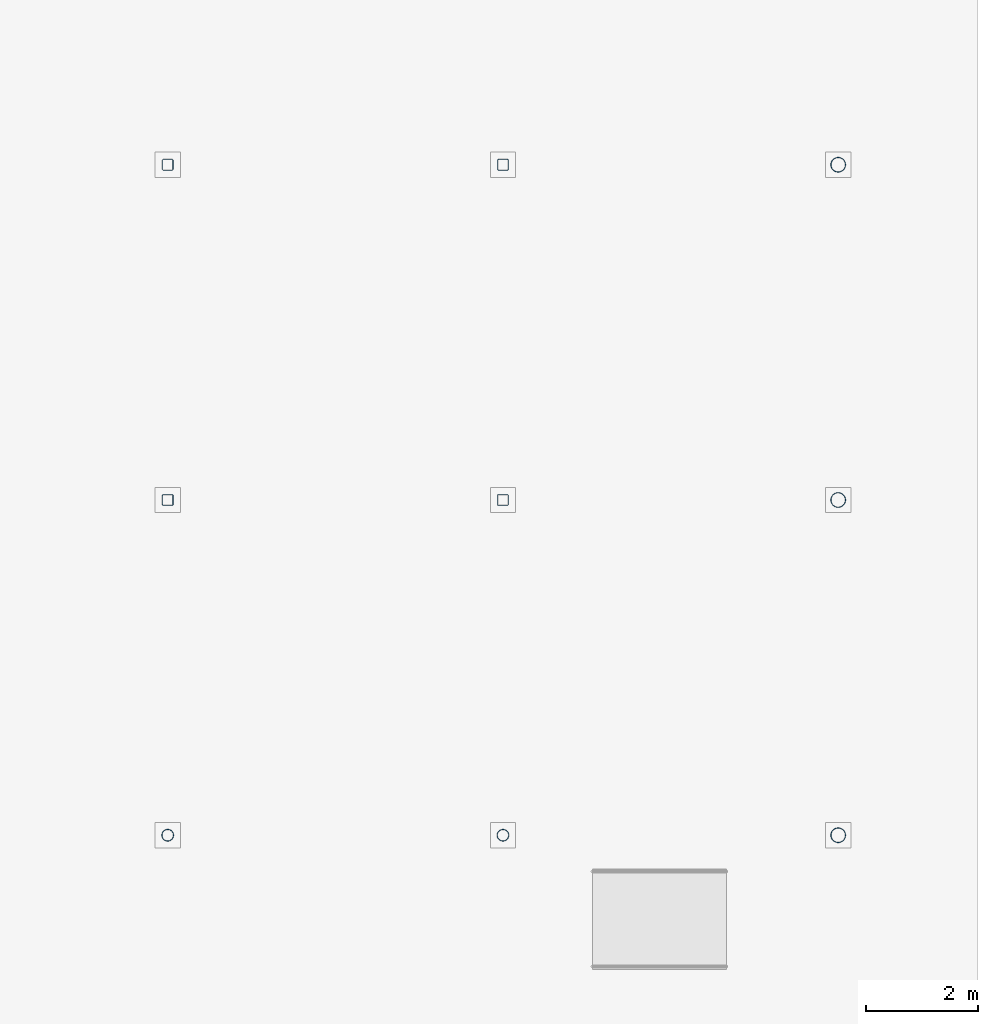
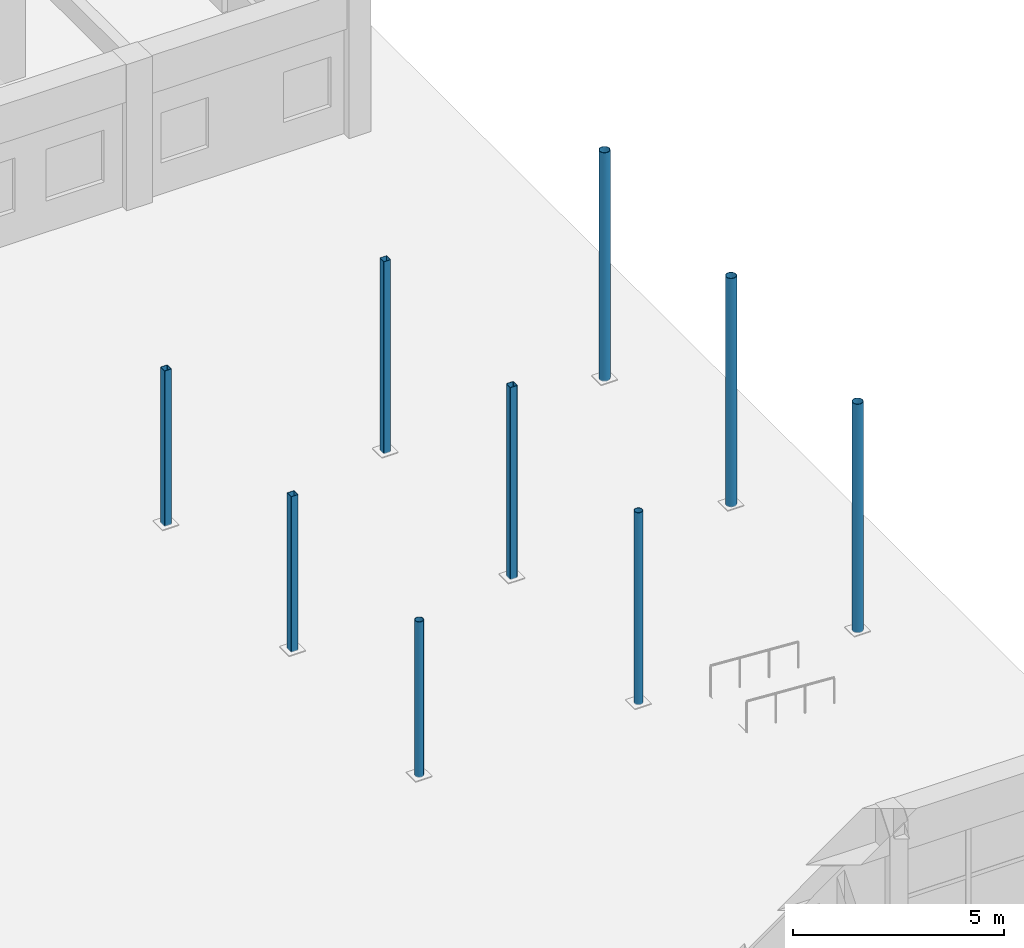
# One storey, part 9 of 76: 9 columns.
"""IFC4 building model written with IfcOpenShell, lengths in metres."""

from ifc_helpers import new_model, si_unit, direction, frame, origin, origin_2d, place, context, subcontext, project, spatial, hollow_rectangle, hollow_circle, extrude, material, material_profile, profile_set, type_object, element, save


model = new_model("IFC4")

# Units and contexts
model_context = context("Model", 3, precision=1e-05, world=origin(), true_north=direction((0.0, 1.0)))
body_context = subcontext(model_context, "Body", "Model", "MODEL_VIEW")
ifc_project = project(units=[si_unit("LENGTHUNIT", "METRE"), si_unit("AREAUNIT", "SQUARE_METRE"), si_unit("VOLUMEUNIT", "CUBIC_METRE"), si_unit("PLANEANGLEUNIT", "RADIAN"), si_unit("MASSUNIT", "GRAM", prefix="KILO"), si_unit("POWERUNIT", "WATT"), si_unit("THERMODYNAMICTEMPERATUREUNIT", "KELVIN")], contexts=[model_context])

# Site, building, storey
site_placement = place(None, origin())
site = spatial("IfcSite", under=ifc_project, at=site_placement, CompositionType="ELEMENT")
building_placement = place(site_placement, origin())
building = spatial("IfcBuilding", under=site, at=building_placement, Name="Ruvembo Vaulted Housing Court", CompositionType="ELEMENT")
storey_placement = place(building_placement, origin())
storey = spatial("IfcBuildingStorey", under=building, at=storey_placement, Name="L00", CompositionType="ELEMENT", Elevation=0.0)

# Columns
ifc_material = material(Name="Steel S355J2", Category="steel")
ifc_material_profile_1 = material_profile(ifc_material, hollow_circle(Radius=0.109619140625, WallThickness=0.012451171875, at=origin_2d()), Name="CHS 219.1x12.5")
ifc_profile_set_1 = profile_set([ifc_material_profile_1], Name="Steel S355J2")
column_type_1 = type_object("IfcColumnType", Name="COL-ST-CHS219", PredefinedType="COLUMN", material=ifc_profile_set_1)
column_1_placement = place(storey_placement, frame((174.0, 48.0, 0.0), z_axis=(0.0, 0.0, 1.0), x_axis=(1.0, 0.0, 0.0)))
element("IfcColumn", 1, at=column_1_placement, inside=storey, type_object=column_type_1, Name="L00 Column (174,48)", PredefinedType="COLUMN", context=body_context, shape_type="SweptSolid", body=[
    extrude(hollow_circle(Radius=0.109619140625, WallThickness=0.012451171875, at=origin_2d()), origin(), (0.0, 0.0, 1.0), 4.5),
])
column_2_placement = place(storey_placement, frame((180.0, 48.0, 0.0), z_axis=(0.0, 0.0, 1.0), x_axis=(1.0, 0.0, 0.0)))
element("IfcColumn", 2, at=column_2_placement, inside=storey, type_object=column_type_1, Name="L00 Column (180,48)", PredefinedType="COLUMN", context=body_context, shape_type="SweptSolid", body=[
    extrude(hollow_circle(Radius=0.109619140625, WallThickness=0.012451171875, at=origin_2d()), origin(), (0.0, 0.0, 1.0), 5.557861328125),
])
ifc_material_profile_2 = material_profile(ifc_material, hollow_circle(Radius=0.136474609375, WallThickness=0.012451171875, at=origin_2d()), Name="CHS 273x12.5")
ifc_profile_set_2 = profile_set([ifc_material_profile_2], Name="Steel S355J2")
column_type_2 = type_object("IfcColumnType", Name="COL-ST-CHS273", PredefinedType="COLUMN", material=ifc_profile_set_2)
for number, where, z_axis, x_axis, name in (
    (3, (186.0, 48.0, 0.0), (0.0, 0.0, 1.0), (1.0, 0.0, 0.0), "L00 Column (186,48)"),
    (4, (186.0, 54.0, 0.0), (0.0, 0.0, 1.0), (1.0, 0.0, 0.0), "L00 Column (186,54)"),
    (5, (186.0, 60.0, 0.0), (0.0, 0.0, 1.0), (1.0, 0.0, 0.0), "L00 Column (186,60)"),
):
    element("IfcColumn", number, at=place(storey_placement, frame(where, z_axis=z_axis, x_axis=x_axis)), inside=storey, type_object=column_type_2, Name=name, PredefinedType="COLUMN", context=body_context, shape_type="SweptSolid", body=[
        extrude(hollow_circle(Radius=0.136474609375, WallThickness=0.012451171875, at=origin_2d()), origin(), (0.0, 0.0, 1.0), 6.615966796875),
    ])
ifc_material_profile_3 = material_profile(ifc_material, hollow_rectangle(XDim=0.199951171875, YDim=0.199951171875, WallThickness=0.010009765625, InnerFilletRadius=0.010009765625, OuterFilletRadius=0.02001953125, at=origin_2d()), Name="SHS 200x200x10")
ifc_profile_set_3 = profile_set([ifc_material_profile_3], Name="Steel S355J2")
column_type_3 = type_object("IfcColumnType", Name="COL-ST-SHS200", PredefinedType="COLUMN", material=ifc_profile_set_3)
for number, where, z_axis, x_axis, name in (
    (6, (174.0, 54.0, 0.0), (0.0, 0.0, 1.0), (1.0, 0.0, 0.0), "L00 Column (174,54)"),
    (7, (174.0, 60.0, 0.0), (0.0, 0.0, 1.0), (1.0, 0.0, 0.0), "L00 Column (174,60)"),
):
    element("IfcColumn", number, at=place(storey_placement, frame(where, z_axis=z_axis, x_axis=x_axis)), inside=storey, type_object=column_type_3, Name=name, PredefinedType="COLUMN", context=body_context, shape_type="SweptSolid", body=[
        extrude(hollow_rectangle(XDim=0.199951171875, YDim=0.199951171875, WallThickness=0.010009765625, InnerFilletRadius=0.010009765625, OuterFilletRadius=0.02001953125, at=origin_2d()), origin(), (0.0, 0.0, 1.0), 4.5),
    ])
for number, where, z_axis, x_axis, name in (
    (8, (180.0, 54.0, 0.0), (0.0, 0.0, 1.0), (1.0, 0.0, 0.0), "L00 Column (180,54)"),
    (9, (180.0, 60.0, 0.0), (0.0, 0.0, 1.0), (1.0, 0.0, 0.0), "L00 Column (180,60)"),
):
    element("IfcColumn", number, at=place(storey_placement, frame(where, z_axis=z_axis, x_axis=x_axis)), inside=storey, type_object=column_type_3, Name=name, PredefinedType="COLUMN", context=body_context, shape_type="SweptSolid", body=[
        extrude(hollow_rectangle(XDim=0.199951171875, YDim=0.199951171875, WallThickness=0.010009765625, InnerFilletRadius=0.010009765625, OuterFilletRadius=0.02001953125, at=origin_2d()), origin(), (0.0, 0.0, 1.0), 5.557861328125),
    ])

save(model, "model.ifc")
